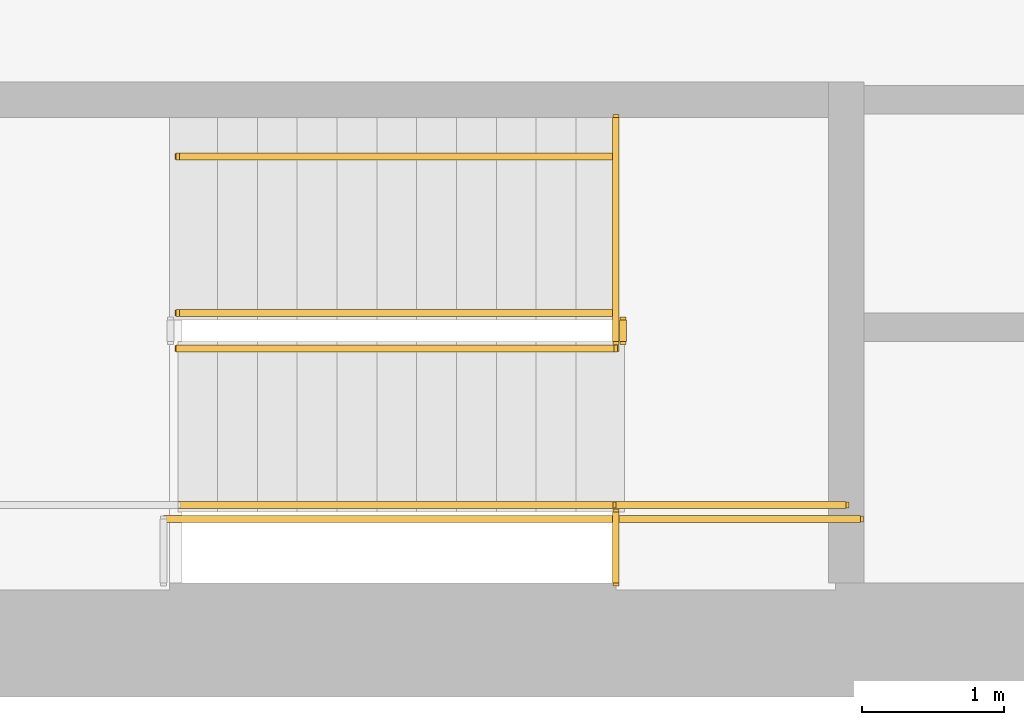
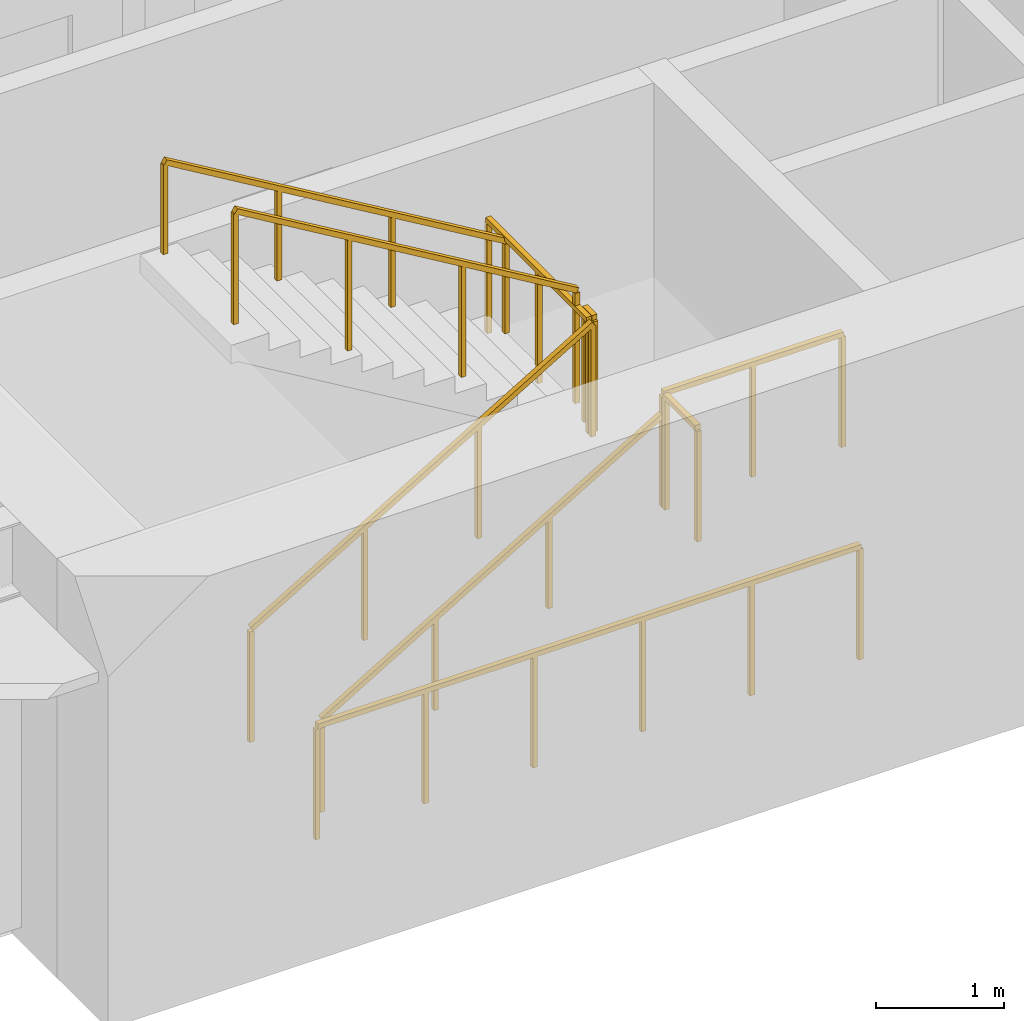
# One storey, part 10 of 12: 9 railings.
"""IFC4 building model written with IfcOpenShell, lengths in metres."""

from ifc_helpers import new_model, si_unit, direction, frame, origin, origin_2d, place, context, subcontext, project, spatial, rectangle, extrude, material, type_object, element, save


model = new_model("IFC4")

# Units and contexts
model_context = context("Model", 3, precision=1e-05, world=origin(), true_north=direction((0.0, 1.0)))
body_context = subcontext(model_context, "Body", "Model", "MODEL_VIEW")
ifc_project = project(units=[si_unit("LENGTHUNIT", "METRE"), si_unit("AREAUNIT", "SQUARE_METRE"), si_unit("VOLUMEUNIT", "CUBIC_METRE"), si_unit("PLANEANGLEUNIT", "RADIAN"), si_unit("MASSUNIT", "GRAM", prefix="KILO")], contexts=[model_context])

# Site, building, storey
site_placement = place(None, origin())
site = spatial("IfcSite", under=ifc_project, at=site_placement, CompositionType="ELEMENT")
building_placement = place(site_placement, origin())
building = spatial("IfcBuilding", under=site, at=building_placement, Name="Sennacour Bend Tower", CompositionType="ELEMENT")
storey_placement = place(building_placement, frame((0.0, 0.0, 273.0)))
storey = spatial("IfcBuildingStorey", under=building, at=storey_placement, Name="L63", CompositionType="ELEMENT", Elevation=273.0)

# Railings
ifc_material = material(Name="Stainless steel", Category="steel")
railing_type_1 = type_object("IfcRailingType", Name="RL-GUARD-1100", PredefinedType="GUARDRAIL", material=ifc_material)
railing_1_placement = place(storey_placement, frame((56.699951171875, 2.449951171875, 0.166748046875)))
element("IfcRailing", 1, at=railing_1_placement, inside=storey, type_object=railing_type_1, Name="L63 SA1 stair guard 1", PredefinedType="GUARDRAIL", context=body_context, shape_type="SweptSolid", body=[
    extrude(rectangle(XDim=0.048095703125, YDim=0.048095703125, at=origin_2d()), frame((0.0, 0.0, 1.076171875), z_axis=(0.859308565015, 0.0, 0.511457515432), x_axis=(0.0, 1.0, 0.0)), (0.0, 0.0, 1.0), 3.58447265625),
    extrude(rectangle(XDim=0.0419921875, YDim=0.0419921875, at=origin_2d()), origin(), (0.0, 0.0, 1.0), 1.052001953125),
    extrude(rectangle(XDim=0.0419921875, YDim=0.0419921875, at=origin_2d()), frame((1.026611328125, 0.0, 0.611083984375)), (0.0, 0.0, 1.0), 1.052001953125),
    extrude(rectangle(XDim=0.0419921875, YDim=0.0419921875, at=origin_2d()), frame((2.053466796875, 0.0, 1.22216796875)), (0.0, 0.0, 1.0), 1.052001953125),
    extrude(rectangle(XDim=0.0419921875, YDim=0.0419921875, at=origin_2d()), frame((3.080078125, 0.0, 1.833251953125)), (0.0, 0.0, 1.0), 1.052001953125),
])
railing_2_placement = place(storey_placement, frame((59.830078125, 2.5, 2.0)))
element("IfcRailing", 2, at=railing_2_placement, inside=storey, type_object=railing_type_1, Name="L63 SA1 stair guard 2", PredefinedType="GUARDRAIL", context=body_context, shape_type="SweptSolid", body=[
    extrude(rectangle(XDim=0.048095703125, YDim=0.048095703125, at=origin_2d()), frame((0.0, 0.0, 1.076171875), z_axis=(0.0, 1.0, 0.0), x_axis=(-1.0, 0.0, 0.0)), (0.0, 0.0, 1.0), 0.14990234375),
    extrude(rectangle(XDim=0.0419921875, YDim=0.0419921875, at=origin_2d()), origin(), (0.0, 0.0, 1.0), 1.052001953125),
    extrude(rectangle(XDim=0.0419921875, YDim=0.0419921875, at=origin_2d()), frame((0.0, 0.14990234375, 0.0)), (0.0, 0.0, 1.0), 1.052001953125),
])
railing_3_placement = place(storey_placement, frame((59.780029296875, 1.35009765625, 2.0)))
element("IfcRailing", 3, at=railing_3_placement, inside=storey, type_object=railing_type_1, Name="L63 SA1 stair guard 3", PredefinedType="GUARDRAIL", context=body_context, shape_type="SweptSolid", body=[
    extrude(rectangle(XDim=0.048095703125, YDim=0.048095703125, at=origin_2d()), frame((0.0, 0.0, 1.076171875), z_axis=(1.0, 0.0, 0.0), x_axis=(0.0, 1.0, 0.0)), (0.0, 0.0, 1.0), 1.619873046875),
    extrude(rectangle(XDim=0.0419921875, YDim=0.0419921875, at=origin_2d()), origin(), (0.0, 0.0, 1.0), 1.052001953125),
    extrude(rectangle(XDim=0.0419921875, YDim=0.0419921875, at=origin_2d()), frame((0.81005859375, 0.0, 0.0)), (0.0, 0.0, 1.0), 1.052001953125),
    extrude(rectangle(XDim=0.0419921875, YDim=0.0419921875, at=origin_2d()), frame((1.619873046875, 0.0, 0.0)), (0.0, 0.0, 1.0), 1.052001953125),
])
railing_4_placement = place(storey_placement, frame((59.780029296875, 2.699951171875, 2.166748046875)))
element("IfcRailing", 4, at=railing_4_placement, inside=storey, type_object=railing_type_1, Name="L63 SA1 stair guard 4", PredefinedType="GUARDRAIL", context=body_context, shape_type="SweptSolid", body=[
    extrude(rectangle(XDim=0.048095703125, YDim=0.048095703125, at=origin_2d()), frame((0.0, 0.0, 1.076171875), z_axis=(-0.859308565015, 0.0, 0.511457515432), x_axis=(0.0, -1.0, 0.0)), (0.0, 0.0, 1.0), 3.58447265625),
    extrude(rectangle(XDim=0.0419921875, YDim=0.0419921875, at=origin_2d()), origin(), (0.0, 0.0, 1.0), 1.052001953125),
    extrude(rectangle(XDim=0.0419921875, YDim=0.0419921875, at=origin_2d()), frame((-1.026611328125, 0.0, 0.611083984375)), (0.0, 0.0, 1.0), 1.052001953125),
    extrude(rectangle(XDim=0.0419921875, YDim=0.0419921875, at=origin_2d()), frame((-2.053466796875, 0.0, 1.22216796875)), (0.0, 0.0, 1.0), 1.052001953125),
    extrude(rectangle(XDim=0.0419921875, YDim=0.0419921875, at=origin_2d()), frame((-3.080078125, 0.0, 1.833251953125)), (0.0, 0.0, 1.0), 1.052001953125),
])
railing_5_placement = place(storey_placement, frame((56.60009765625, 1.25, 0.0)))
element("IfcRailing", 5, at=railing_5_placement, inside=storey, type_object=railing_type_1, Name="L63 SA1 stair guard 8", PredefinedType="GUARDRAIL", context=body_context, shape_type="SweptSolid", body=[
    extrude(rectangle(XDim=0.048095703125, YDim=0.048095703125, at=origin_2d()), frame((0.0, 0.0, 1.076171875), z_axis=(1.0, 0.0, 0.0), x_axis=(0.0, 1.0, 0.0)), (0.0, 0.0, 1.0), 4.89990234375),
    extrude(rectangle(XDim=0.0419921875, YDim=0.0419921875, at=origin_2d()), origin(), (0.0, 0.0, 1.0), 1.052001953125),
    extrude(rectangle(XDim=0.0419921875, YDim=0.0419921875, at=origin_2d()), frame((0.97998046875, 0.0, 0.0)), (0.0, 0.0, 1.0), 1.052001953125),
    extrude(rectangle(XDim=0.0419921875, YDim=0.0419921875, at=origin_2d()), frame((1.9599609375, 0.0, 0.0)), (0.0, 0.0, 1.0), 1.052001953125),
    extrude(rectangle(XDim=0.0419921875, YDim=0.0419921875, at=origin_2d()), frame((2.93994140625, 0.0, 0.0)), (0.0, 0.0, 1.0), 1.052001953125),
    extrude(rectangle(XDim=0.0419921875, YDim=0.0419921875, at=origin_2d()), frame((3.919921875, 0.0, 0.0)), (0.0, 0.0, 1.0), 1.052001953125),
    extrude(rectangle(XDim=0.0419921875, YDim=0.0419921875, at=origin_2d()), frame((4.89990234375, 0.0, 0.0)), (0.0, 0.0, 1.0), 1.052001953125),
])
railing_6_placement = place(storey_placement, frame((59.780029296875, 0.800048828125, 2.0)))
element("IfcRailing", 6, at=railing_6_placement, inside=storey, type_object=railing_type_1, Name="L63 SA1 landing edge guard 96", PredefinedType="GUARDRAIL", context=body_context, shape_type="SweptSolid", body=[
    extrude(rectangle(XDim=0.048095703125, YDim=0.048095703125, at=origin_2d()), frame((0.0, 0.0, 1.076171875), z_axis=(0.0, 1.0, 0.0), x_axis=(-1.0, 0.0, 0.0)), (0.0, 0.0, 1.0), 0.5),
    extrude(rectangle(XDim=0.0419921875, YDim=0.0419921875, at=origin_2d()), origin(), (0.0, 0.0, 1.0), 1.052001953125),
    extrude(rectangle(XDim=0.0419921875, YDim=0.0419921875, at=origin_2d()), frame((0.0, 0.5, 0.0)), (0.0, 0.0, 1.0), 1.052001953125),
])
railing_7_placement = place(storey_placement, frame((59.780029296875, 2.5, 2.0)))
element("IfcRailing", 7, at=railing_7_placement, inside=storey, type_object=railing_type_1, Name="L63 SA1 landing edge guard 97", PredefinedType="GUARDRAIL", context=body_context, shape_type="SweptSolid", body=[
    extrude(rectangle(XDim=0.048095703125, YDim=0.048095703125, at=origin_2d()), frame((0.0, 0.0, 1.076171875), z_axis=(0.0, 1.0, 0.0), x_axis=(-1.0, 0.0, 0.0)), (0.0, 0.0, 1.0), 1.574951171875),
    extrude(rectangle(XDim=0.0419921875, YDim=0.0419921875, at=origin_2d()), origin(), (0.0, 0.0, 1.0), 1.052001953125),
    extrude(rectangle(XDim=0.0419921875, YDim=0.0419921875, at=origin_2d()), frame((0.0, 0.78759765625, 0.0)), (0.0, 0.0, 1.0), 1.052001953125),
    extrude(rectangle(XDim=0.0419921875, YDim=0.0419921875, at=origin_2d()), frame((0.0, 1.574951171875, 0.0)), (0.0, 0.0, 1.0), 1.052001953125),
])
railing_type_2 = type_object("IfcRailingType", Name="RL-HANDRAIL-900", PredefinedType="HANDRAIL", material=ifc_material)
railing_8_placement = place(storey_placement, frame((56.699951171875, 1.35009765625, 0.166748046875)))
element("IfcRailing", 8, at=railing_8_placement, inside=storey, type_object=railing_type_2, Name="L63 SA1 stair handrail 1", PredefinedType="HANDRAIL", context=body_context, shape_type="SweptSolid", body=[
    extrude(rectangle(XDim=0.048095703125, YDim=0.048095703125, at=origin_2d()), frame((0.0, 0.0, 0.8759765625), z_axis=(0.859308565015, 0.0, 0.511457515432), x_axis=(0.0, 1.0, 0.0)), (0.0, 0.0, 1.0), 3.58447265625),
    extrude(rectangle(XDim=0.0419921875, YDim=0.0419921875, at=origin_2d()), origin(), (0.0, 0.0, 1.0), 0.851806640625),
    extrude(rectangle(XDim=0.0419921875, YDim=0.0419921875, at=origin_2d()), frame((1.026611328125, 0.0, 0.611083984375)), (0.0, 0.0, 1.0), 0.851806640625),
    extrude(rectangle(XDim=0.0419921875, YDim=0.0419921875, at=origin_2d()), frame((2.053466796875, 0.0, 1.22216796875)), (0.0, 0.0, 1.0), 0.851806640625),
    extrude(rectangle(XDim=0.0419921875, YDim=0.0419921875, at=origin_2d()), frame((3.080078125, 0.0, 1.833251953125)), (0.0, 0.0, 1.0), 0.851806640625),
])
railing_9_placement = place(storey_placement, frame((59.780029296875, 3.800048828125, 2.166748046875)))
element("IfcRailing", 9, at=railing_9_placement, inside=storey, type_object=railing_type_2, Name="L63 SA1 stair handrail 2", PredefinedType="HANDRAIL", context=body_context, shape_type="SweptSolid", body=[
    extrude(rectangle(XDim=0.048095703125, YDim=0.048095703125, at=origin_2d()), frame((0.0, 0.0, 0.8759765625), z_axis=(-0.859308565015, 0.0, 0.511457515432), x_axis=(0.0, -1.0, 0.0)), (0.0, 0.0, 1.0), 3.58447265625),
    extrude(rectangle(XDim=0.0419921875, YDim=0.0419921875, at=origin_2d()), origin(), (0.0, 0.0, 1.0), 0.851806640625),
    extrude(rectangle(XDim=0.0419921875, YDim=0.0419921875, at=origin_2d()), frame((-1.026611328125, 0.0, 0.611083984375)), (0.0, 0.0, 1.0), 0.851806640625),
    extrude(rectangle(XDim=0.0419921875, YDim=0.0419921875, at=origin_2d()), frame((-2.053466796875, 0.0, 1.22216796875)), (0.0, 0.0, 1.0), 0.851806640625),
    extrude(rectangle(XDim=0.0419921875, YDim=0.0419921875, at=origin_2d()), frame((-3.080078125, 0.0, 1.833251953125)), (0.0, 0.0, 1.0), 0.851806640625),
])

save(model, "model.ifc")
